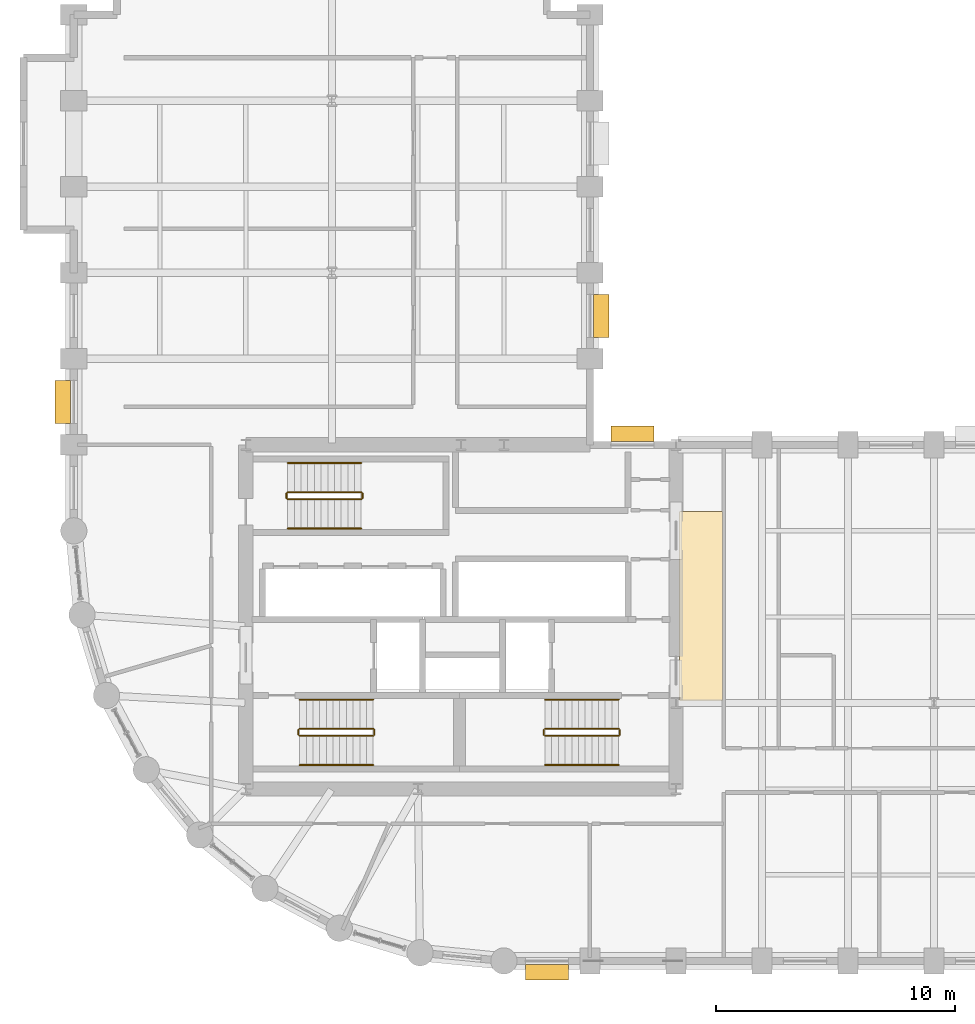
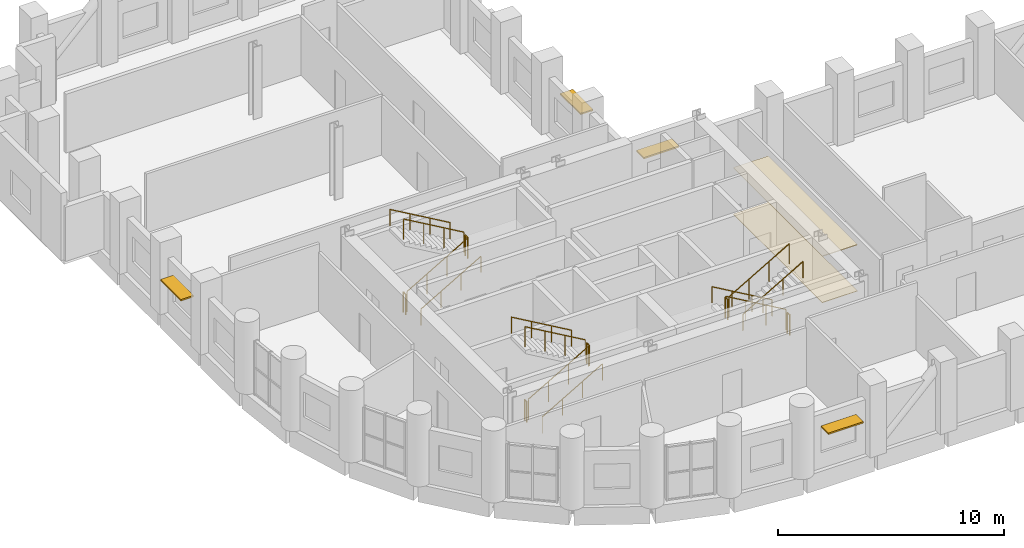
# One storey, part 12 of 13: 18 railings, 4 shading devices, 2 coverings.
"""IFC4 building model written with IfcOpenShell, lengths in metres."""

from ifc_helpers import new_model, si_unit, direction, frame, origin, origin_2d, place, context, subcontext, project, spatial, polyline, rectangle, circle, outline, extrude, material, layer, layer_set, type_object, element, save


model = new_model("IFC4")

# Units and contexts
model_context = context("Model", 3, precision=1e-05, world=origin(), true_north=direction((0.0, 1.0)))
body_context = subcontext(model_context, "Body", "Model", "MODEL_VIEW")
ifc_project = project(units=[si_unit("LENGTHUNIT", "METRE"), si_unit("AREAUNIT", "SQUARE_METRE"), si_unit("VOLUMEUNIT", "CUBIC_METRE"), si_unit("PLANEANGLEUNIT", "RADIAN"), si_unit("MASSUNIT", "GRAM", prefix="KILO")], contexts=[model_context])

# Site, building, storey
site_placement = place(None, origin())
site = spatial("IfcSite", under=ifc_project, at=site_placement, CompositionType="ELEMENT")
building_placement = place(site_placement, origin())
building = spatial("IfcBuilding", under=site, at=building_placement, Name="Solnavia Interchange Tower", CompositionType="ELEMENT")
storey_placement = place(building_placement, frame((0.0, 0.0, 87.89990234375)))
storey = spatial("IfcBuildingStorey", under=building, at=storey_placement, Name="L21", CompositionType="ELEMENT", Elevation=87.89990234375)

# Coverings
ifc_material_1 = material(Name="Perforated Mineral-Fibre & Gypsum Ceiling", Category="gypsum")
ifc_layer_1 = layer(ifc_material_1, 0.0400390625)
ifc_layer_set_1 = layer_set([ifc_layer_1], Name="Perforated Mineral-Fibre & Gypsum Ceiling")
covering_type_1 = type_object("IfcCoveringType", Name="Covering-Ceiling-Acoustic40", PredefinedType="CEILING", material=ifc_layer_set_1)
covering_1_placement = place(storey_placement, frame((0.0, 0.0, 2.5)))
element("IfcCovering", 1, at=covering_1_placement, inside=storey, type_object=covering_type_1, Name="CLG-L21-01 Circulation suspended acoustic ceiling", PredefinedType="CEILING", context=body_context, shape_type="SweptSolid", body=[
    extrude(outline(polyline([(32.550048828125, 14.5), (34.35009765625, 14.5), (34.35009765625, 22.39990234375), (32.550048828125, 22.39990234375), (32.550048828125, 14.5)])), origin(), (0.0, 0.0, 1.0), 0.0400390625),
])
ifc_material_2 = material(Name="Polished Alicante Stone Terrazzo", Category="masonry")
ifc_layer_2 = layer(ifc_material_2, 0.02490234375)
ifc_layer_set_2 = layer_set([ifc_layer_2], Name="Polished Alicante Stone Terrazzo")
covering_type_2 = type_object("IfcCoveringType", Name="Covering-Flooring-Terrazzo25", PredefinedType="FLOORING", material=ifc_layer_set_2)
covering_2_placement = place(storey_placement, origin())
element("IfcCovering", 2, at=covering_2_placement, inside=storey, type_object=covering_type_2, Name="FLR-L21-01 Circulation floor finish", PredefinedType="FLOORING", context=body_context, shape_type="SweptSolid", body=[
    extrude(outline(polyline([(32.550048828125, 14.5), (34.35009765625, 14.5), (34.35009765625, 22.39990234375), (32.550048828125, 22.39990234375), (32.550048828125, 14.5)])), origin(), (0.0, 0.0, 1.0), 0.025146484375),
])

# Railings
ifc_material_3 = material(Name="Painted Steel Balustrade", Category="steel")
railing_type_1 = type_object("IfcRailingType", Name="Railing-StairGuard-1100", PredefinedType="GUARDRAIL", material=ifc_material_3)
railing_1_placement = place(storey_placement, frame((16.64990234375, 13.02001953125, 0.16259765625)))
element("IfcRailing", 3, at=railing_1_placement, inside=storey, type_object=railing_type_1, Name="L21 ST-1 stair guard 1", PredefinedType="GUARDRAIL", context=body_context, shape_type="SweptSolid", body=[
    extrude(circle(Radius=0.02392578125, at=origin_2d()), frame((0.0, 0.0, 1.09619140625), z_axis=(0.864890721111, 0.0, 0.501960198159), x_axis=(0.0, 1.0, 0.0)), (0.0, 0.0, 1.0), 3.561279296875),
    extrude(circle(Radius=0.02099609375, at=origin_2d()), origin(), (0.0, 0.0, 1.0), 1.072021484375),
    extrude(circle(Radius=0.02099609375, at=origin_2d()), frame((1.026611328125, 0.0, 0.595947265625)), (0.0, 0.0, 1.0), 1.072021484375),
    extrude(circle(Radius=0.02099609375, at=origin_2d()), frame((2.053466796875, 0.0, 1.191650390625)), (0.0, 0.0, 1.0), 1.072021484375),
    extrude(circle(Radius=0.02099609375, at=origin_2d()), frame((3.080078125, 0.0, 1.78759765625)), (0.0, 0.0, 1.0), 1.072021484375),
])
railing_2_placement = place(storey_placement, frame((19.780029296875, 13.070068359375, 1.9501953125)))
element("IfcRailing", 4, at=railing_2_placement, inside=storey, type_object=railing_type_1, Name="L21 ST-1 stair guard 2", PredefinedType="GUARDRAIL", context=body_context, shape_type="SweptSolid", body=[
    extrude(circle(Radius=0.02392578125, at=origin_2d()), frame((0.0, 0.0, 1.09619140625), z_axis=(0.0, 1.0, 0.0), x_axis=(-1.0, 0.0, 0.0)), (0.0, 0.0, 1.0), 0.199951171875),
    extrude(circle(Radius=0.02099609375, at=origin_2d()), origin(), (0.0, 0.0, 1.0), 1.072021484375),
    extrude(circle(Radius=0.02099609375, at=origin_2d()), frame((0.0, 0.199951171875, 0.0)), (0.0, 0.0, 1.0), 1.072021484375),
])
railing_3_placement = place(storey_placement, frame((19.72998046875, 13.320068359375, 2.112548828125)))
element("IfcRailing", 5, at=railing_3_placement, inside=storey, type_object=railing_type_1, Name="L21 ST-1 stair guard 3", PredefinedType="GUARDRAIL", context=body_context, shape_type="SweptSolid", body=[
    extrude(circle(Radius=0.02392578125, at=origin_2d()), frame((0.0, 0.0, 1.09619140625), z_axis=(-0.864890721111, 0.0, 0.501960198159), x_axis=(0.0, -1.0, 0.0)), (0.0, 0.0, 1.0), 3.561279296875),
    extrude(circle(Radius=0.02099609375, at=origin_2d()), origin(), (0.0, 0.0, 1.0), 1.072021484375),
    extrude(circle(Radius=0.02099609375, at=origin_2d()), frame((-1.026611328125, 0.0, 0.595947265625)), (0.0, 0.0, 1.0), 1.072021484375),
    extrude(circle(Radius=0.02099609375, at=origin_2d()), frame((-2.053466796875, 0.0, 1.191650390625)), (0.0, 0.0, 1.0), 1.072021484375),
    extrude(circle(Radius=0.02099609375, at=origin_2d()), frame((-3.080078125, 0.0, 1.78759765625)), (0.0, 0.0, 1.0), 1.072021484375),
])
railing_4_placement = place(storey_placement, frame((16.60009765625, 13.070068359375, 0.0)))
element("IfcRailing", 6, at=railing_4_placement, inside=storey, type_object=railing_type_1, Name="L21 ST-1 stair guard 4", PredefinedType="GUARDRAIL", context=body_context, shape_type="SweptSolid", body=[
    extrude(circle(Radius=0.02392578125, at=origin_2d()), frame((0.0, 0.0, 1.09619140625), z_axis=(0.0, 1.0, 0.0), x_axis=(-1.0, 0.0, 0.0)), (0.0, 0.0, 1.0), 0.199951171875),
    extrude(circle(Radius=0.02099609375, at=origin_2d()), origin(), (0.0, 0.0, 1.0), 1.072021484375),
    extrude(circle(Radius=0.02099609375, at=origin_2d()), frame((0.0, 0.199951171875, 0.0)), (0.0, 0.0, 1.0), 1.072021484375),
])
railing_5_placement = place(storey_placement, frame((30.0, 13.320068359375, 0.16259765625)))
element("IfcRailing", 7, at=railing_5_placement, inside=storey, type_object=railing_type_1, Name="L21 ST-2 stair guard 1", PredefinedType="GUARDRAIL", context=body_context, shape_type="SweptSolid", body=[
    extrude(circle(Radius=0.02392578125, at=origin_2d()), frame((0.0, 0.0, 1.09619140625), z_axis=(-0.864890721111, 0.0, 0.501960198159), x_axis=(0.0, -1.0, 0.0)), (0.0, 0.0, 1.0), 3.561279296875),
    extrude(circle(Radius=0.02099609375, at=origin_2d()), origin(), (0.0, 0.0, 1.0), 1.072021484375),
    extrude(circle(Radius=0.02099609375, at=origin_2d()), frame((-1.026611328125, 0.0, 0.595947265625)), (0.0, 0.0, 1.0), 1.072021484375),
    extrude(circle(Radius=0.02099609375, at=origin_2d()), frame((-2.053466796875, 0.0, 1.191650390625)), (0.0, 0.0, 1.0), 1.072021484375),
    extrude(circle(Radius=0.02099609375, at=origin_2d()), frame((-3.080078125, 0.0, 1.78759765625)), (0.0, 0.0, 1.0), 1.072021484375),
])
railing_6_placement = place(storey_placement, frame((26.8701171875, 13.27001953125, 1.9501953125)))
element("IfcRailing", 8, at=railing_6_placement, inside=storey, type_object=railing_type_1, Name="L21 ST-2 stair guard 2", PredefinedType="GUARDRAIL", context=body_context, shape_type="SweptSolid", body=[
    extrude(circle(Radius=0.02392578125, at=origin_2d()), frame((0.0, 0.0, 1.09619140625), z_axis=(0.0, -1.0, 0.0), x_axis=(1.0, 0.0, 0.0)), (0.0, 0.0, 1.0), 0.199951171875),
    extrude(circle(Radius=0.02099609375, at=origin_2d()), origin(), (0.0, 0.0, 1.0), 1.072021484375),
    extrude(circle(Radius=0.02099609375, at=origin_2d()), frame((0.0, -0.199951171875, 0.0)), (0.0, 0.0, 1.0), 1.072021484375),
])
railing_7_placement = place(storey_placement, frame((26.919921875, 13.02001953125, 2.112548828125)))
element("IfcRailing", 9, at=railing_7_placement, inside=storey, type_object=railing_type_1, Name="L21 ST-2 stair guard 3", PredefinedType="GUARDRAIL", context=body_context, shape_type="SweptSolid", body=[
    extrude(circle(Radius=0.02392578125, at=origin_2d()), frame((0.0, 0.0, 1.09619140625), z_axis=(0.864890721111, 0.0, 0.501960198159), x_axis=(0.0, 1.0, 0.0)), (0.0, 0.0, 1.0), 3.561279296875),
    extrude(circle(Radius=0.02099609375, at=origin_2d()), origin(), (0.0, 0.0, 1.0), 1.072021484375),
    extrude(circle(Radius=0.02099609375, at=origin_2d()), frame((1.026611328125, 0.0, 0.595947265625)), (0.0, 0.0, 1.0), 1.072021484375),
    extrude(circle(Radius=0.02099609375, at=origin_2d()), frame((2.053466796875, 0.0, 1.191650390625)), (0.0, 0.0, 1.0), 1.072021484375),
    extrude(circle(Radius=0.02099609375, at=origin_2d()), frame((3.080078125, 0.0, 1.78759765625)), (0.0, 0.0, 1.0), 1.072021484375),
])
railing_8_placement = place(storey_placement, frame((30.050048828125, 13.27001953125, 0.0)))
element("IfcRailing", 10, at=railing_8_placement, inside=storey, type_object=railing_type_1, Name="L21 ST-2 stair guard 4", PredefinedType="GUARDRAIL", context=body_context, shape_type="SweptSolid", body=[
    extrude(circle(Radius=0.02392578125, at=origin_2d()), frame((0.0, 0.0, 1.09619140625), z_axis=(0.0, -1.0, 0.0), x_axis=(1.0, 0.0, 0.0)), (0.0, 0.0, 1.0), 0.199951171875),
    extrude(circle(Radius=0.02099609375, at=origin_2d()), origin(), (0.0, 0.0, 1.0), 1.072021484375),
    extrude(circle(Radius=0.02099609375, at=origin_2d()), frame((0.0, -0.199951171875, 0.0)), (0.0, 0.0, 1.0), 1.072021484375),
])
railing_9_placement = place(storey_placement, frame((16.14990234375, 22.919921875, 0.16259765625)))
element("IfcRailing", 11, at=railing_9_placement, inside=storey, type_object=railing_type_1, Name="L21 ST-3 stair guard 1", PredefinedType="GUARDRAIL", context=body_context, shape_type="SweptSolid", body=[
    extrude(circle(Radius=0.02392578125, at=origin_2d()), frame((0.0, 0.0, 1.09619140625), z_axis=(0.864890721111, 0.0, 0.501960198159), x_axis=(0.0, 1.0, 0.0)), (0.0, 0.0, 1.0), 3.561279296875),
    extrude(circle(Radius=0.02099609375, at=origin_2d()), origin(), (0.0, 0.0, 1.0), 1.072021484375),
    extrude(circle(Radius=0.02099609375, at=origin_2d()), frame((1.026611328125, 0.0, 0.595947265625)), (0.0, 0.0, 1.0), 1.072021484375),
    extrude(circle(Radius=0.02099609375, at=origin_2d()), frame((2.053466796875, 0.0, 1.191650390625)), (0.0, 0.0, 1.0), 1.072021484375),
    extrude(circle(Radius=0.02099609375, at=origin_2d()), frame((3.080078125, 0.0, 1.78759765625)), (0.0, 0.0, 1.0), 1.072021484375),
])
railing_10_placement = place(storey_placement, frame((19.280029296875, 22.969970703125, 1.9501953125)))
element("IfcRailing", 12, at=railing_10_placement, inside=storey, type_object=railing_type_1, Name="L21 ST-3 stair guard 2", PredefinedType="GUARDRAIL", context=body_context, shape_type="SweptSolid", body=[
    extrude(circle(Radius=0.02392578125, at=origin_2d()), frame((0.0, 0.0, 1.09619140625), z_axis=(0.0, 1.0, 0.0), x_axis=(-1.0, 0.0, 0.0)), (0.0, 0.0, 1.0), 0.199951171875),
    extrude(circle(Radius=0.02099609375, at=origin_2d()), origin(), (0.0, 0.0, 1.0), 1.072021484375),
    extrude(circle(Radius=0.02099609375, at=origin_2d()), frame((0.0, 0.199951171875, 0.0)), (0.0, 0.0, 1.0), 1.072021484375),
])
railing_11_placement = place(storey_placement, frame((19.22998046875, 23.219970703125, 2.112548828125)))
element("IfcRailing", 13, at=railing_11_placement, inside=storey, type_object=railing_type_1, Name="L21 ST-3 stair guard 3", PredefinedType="GUARDRAIL", context=body_context, shape_type="SweptSolid", body=[
    extrude(circle(Radius=0.02392578125, at=origin_2d()), frame((0.0, 0.0, 1.09619140625), z_axis=(-0.864890721111, 0.0, 0.501960198159), x_axis=(0.0, -1.0, 0.0)), (0.0, 0.0, 1.0), 3.561279296875),
    extrude(circle(Radius=0.02099609375, at=origin_2d()), origin(), (0.0, 0.0, 1.0), 1.072021484375),
    extrude(circle(Radius=0.02099609375, at=origin_2d()), frame((-1.026611328125, 0.0, 0.595947265625)), (0.0, 0.0, 1.0), 1.072021484375),
    extrude(circle(Radius=0.02099609375, at=origin_2d()), frame((-2.053466796875, 0.0, 1.191650390625)), (0.0, 0.0, 1.0), 1.072021484375),
    extrude(circle(Radius=0.02099609375, at=origin_2d()), frame((-3.080078125, 0.0, 1.78759765625)), (0.0, 0.0, 1.0), 1.072021484375),
])
railing_12_placement = place(storey_placement, frame((16.10009765625, 22.969970703125, 0.0)))
element("IfcRailing", 14, at=railing_12_placement, inside=storey, type_object=railing_type_1, Name="L21 ST-3 stair guard 4", PredefinedType="GUARDRAIL", context=body_context, shape_type="SweptSolid", body=[
    extrude(circle(Radius=0.02392578125, at=origin_2d()), frame((0.0, 0.0, 1.09619140625), z_axis=(0.0, 1.0, 0.0), x_axis=(-1.0, 0.0, 0.0)), (0.0, 0.0, 1.0), 0.199951171875),
    extrude(circle(Radius=0.02099609375, at=origin_2d()), origin(), (0.0, 0.0, 1.0), 1.072021484375),
    extrude(circle(Radius=0.02099609375, at=origin_2d()), frame((0.0, 0.199951171875, 0.0)), (0.0, 0.0, 1.0), 1.072021484375),
])
ifc_material_4 = material(Name="Brushed Stainless Steel", Category="steel")
railing_type_2 = type_object("IfcRailingType", Name="Railing-StairHandrail-900", PredefinedType="HANDRAIL", material=ifc_material_4)
railing_13_placement = place(storey_placement, frame((16.64990234375, 11.800048828125, 0.16259765625)))
element("IfcRailing", 15, at=railing_13_placement, inside=storey, type_object=railing_type_2, Name="L21 ST-1 stair handrail 1", PredefinedType="HANDRAIL", context=body_context, shape_type="SweptSolid", body=[
    extrude(circle(Radius=0.02392578125, at=origin_2d()), frame((0.0, 0.0, 0.8759765625), z_axis=(0.864890721111, 0.0, 0.501960198159), x_axis=(0.0, 1.0, 0.0)), (0.0, 0.0, 1.0), 3.561279296875),
    extrude(circle(Radius=0.02099609375, at=origin_2d()), origin(), (0.0, 0.0, 1.0), 0.851806640625),
    extrude(circle(Radius=0.02099609375, at=origin_2d()), frame((1.026611328125, 0.0, 0.595947265625)), (0.0, 0.0, 1.0), 0.851806640625),
    extrude(circle(Radius=0.02099609375, at=origin_2d()), frame((2.053466796875, 0.0, 1.191650390625)), (0.0, 0.0, 1.0), 0.851806640625),
    extrude(circle(Radius=0.02099609375, at=origin_2d()), frame((3.080078125, 0.0, 1.78759765625)), (0.0, 0.0, 1.0), 0.851806640625),
])
for number, where, name in (
    (16, (19.72998046875, 14.5400390625, 2.112548828125), "L21 ST-1 stair handrail 2"),
    (17, (30.0, 14.5400390625, 0.16259765625), "L21 ST-2 stair handrail 1"),
):
    element("IfcRailing", number, at=place(storey_placement, frame(where)), inside=storey, type_object=railing_type_2, Name=name, PredefinedType="HANDRAIL", context=body_context, shape_type="SweptSolid", body=[
        extrude(circle(Radius=0.02392578125, at=origin_2d()), frame((0.0, 0.0, 0.8759765625), z_axis=(-0.864890721111, 0.0, 0.501960198159), x_axis=(0.0, -1.0, 0.0)), (0.0, 0.0, 1.0), 3.561279296875),
        extrude(circle(Radius=0.02099609375, at=origin_2d()), origin(), (0.0, 0.0, 1.0), 0.851806640625),
        extrude(circle(Radius=0.02099609375, at=origin_2d()), frame((-1.026611328125, 0.0, 0.595947265625)), (0.0, 0.0, 1.0), 0.851806640625),
        extrude(circle(Radius=0.02099609375, at=origin_2d()), frame((-2.053466796875, 0.0, 1.191650390625)), (0.0, 0.0, 1.0), 0.851806640625),
        extrude(circle(Radius=0.02099609375, at=origin_2d()), frame((-3.080078125, 0.0, 1.78759765625)), (0.0, 0.0, 1.0), 0.851806640625),
    ])
for number, where, name in (
    (18, (26.919921875, 11.800048828125, 2.112548828125), "L21 ST-2 stair handrail 2"),
    (19, (16.14990234375, 21.699951171875, 0.16259765625), "L21 ST-3 stair handrail 1"),
):
    element("IfcRailing", number, at=place(storey_placement, frame(where)), inside=storey, type_object=railing_type_2, Name=name, PredefinedType="HANDRAIL", context=body_context, shape_type="SweptSolid", body=[
        extrude(circle(Radius=0.02392578125, at=origin_2d()), frame((0.0, 0.0, 0.8759765625), z_axis=(0.864890721111, 0.0, 0.501960198159), x_axis=(0.0, 1.0, 0.0)), (0.0, 0.0, 1.0), 3.561279296875),
        extrude(circle(Radius=0.02099609375, at=origin_2d()), origin(), (0.0, 0.0, 1.0), 0.851806640625),
        extrude(circle(Radius=0.02099609375, at=origin_2d()), frame((1.026611328125, 0.0, 0.595947265625)), (0.0, 0.0, 1.0), 0.851806640625),
        extrude(circle(Radius=0.02099609375, at=origin_2d()), frame((2.053466796875, 0.0, 1.191650390625)), (0.0, 0.0, 1.0), 0.851806640625),
        extrude(circle(Radius=0.02099609375, at=origin_2d()), frame((3.080078125, 0.0, 1.78759765625)), (0.0, 0.0, 1.0), 0.851806640625),
    ])
railing_14_placement = place(storey_placement, frame((19.22998046875, 24.43994140625, 2.112548828125)))
element("IfcRailing", 20, at=railing_14_placement, inside=storey, type_object=railing_type_2, Name="L21 ST-3 stair handrail 2", PredefinedType="HANDRAIL", context=body_context, shape_type="SweptSolid", body=[
    extrude(circle(Radius=0.02392578125, at=origin_2d()), frame((0.0, 0.0, 0.8759765625), z_axis=(-0.864890721111, 0.0, 0.501960198159), x_axis=(0.0, -1.0, 0.0)), (0.0, 0.0, 1.0), 3.561279296875),
    extrude(circle(Radius=0.02099609375, at=origin_2d()), origin(), (0.0, 0.0, 1.0), 0.851806640625),
    extrude(circle(Radius=0.02099609375, at=origin_2d()), frame((-1.026611328125, 0.0, 0.595947265625)), (0.0, 0.0, 1.0), 0.851806640625),
    extrude(circle(Radius=0.02099609375, at=origin_2d()), frame((-2.053466796875, 0.0, 1.191650390625)), (0.0, 0.0, 1.0), 0.851806640625),
    extrude(circle(Radius=0.02099609375, at=origin_2d()), frame((-3.080078125, 0.0, 1.78759765625)), (0.0, 0.0, 1.0), 0.851806640625),
])

# Shading devices
ifc_material_5 = material(Name="Anodised Aluminium Sunshade", Category="aluminium")
ifc_layer_3 = layer(ifc_material_5, 0.080078125)
ifc_layer_set_3 = layer_set([ifc_layer_3], Name="Anodised Aluminium Sunshade")
shading_device_type = type_object("IfcShadingDeviceType", Name="Sunshade-Band-650", PredefinedType="SHUTTER", material=ifc_layer_set_3)
for number, where, z_axis, x_axis, name in (
    (21, (27.0, 3.1298828125, 2.219970703125), (0.0, 0.0, 1.0), (-1.0, 0.0, 0.0), "SHD-L21-01 Horizontal sunshade band"),
    (22, (30.577880859375, 25.669921875, 2.219970703125), (0.0, 0.0, 1.0), (1.0, 0.0, 0.0), "SHD-L21-27 Horizontal sunshade band"),
    (23, (29.27001953125, 30.60009765625, 2.219970703125), (0.0, 0.0, 1.0), (0.0, -1.0, 0.0), "SHD-L21-29 Horizontal sunshade band"),
    (24, (6.72998046875, 27.0, 2.219970703125), (0.0, 0.0, 1.0), (0.0, 1.0, 0.0), "SHD-L21-53 Horizontal sunshade band"),
):
    element("IfcShadingDevice", number, at=place(storey_placement, frame(where, z_axis=z_axis, x_axis=x_axis)), inside=storey, type_object=shading_device_type, Name=name, PredefinedType="SHUTTER", context=body_context, shape_type="SweptSolid", body=[
        extrude(rectangle(XDim=1.800048828125, YDim=0.64990234375, at=origin_2d()), origin(), (0.0, 0.0, 1.0), 0.080078125),
    ])

save(model, "model.ifc")
